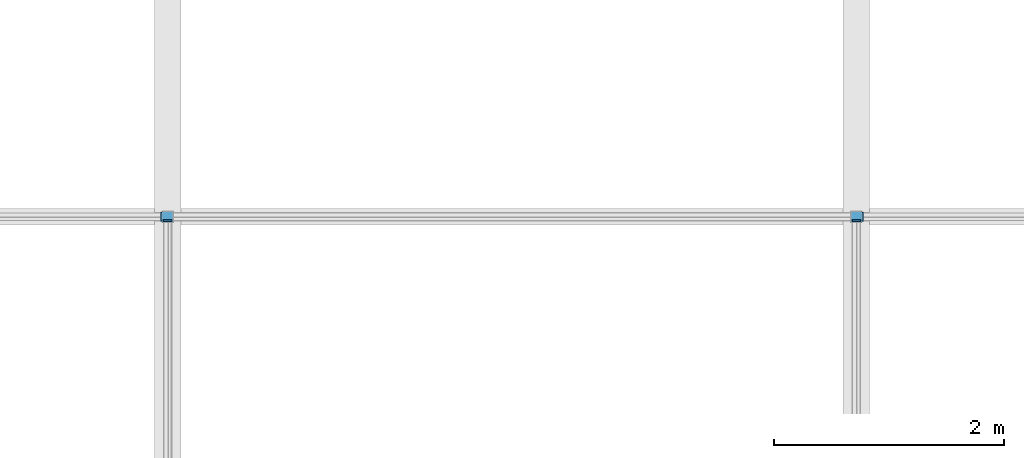
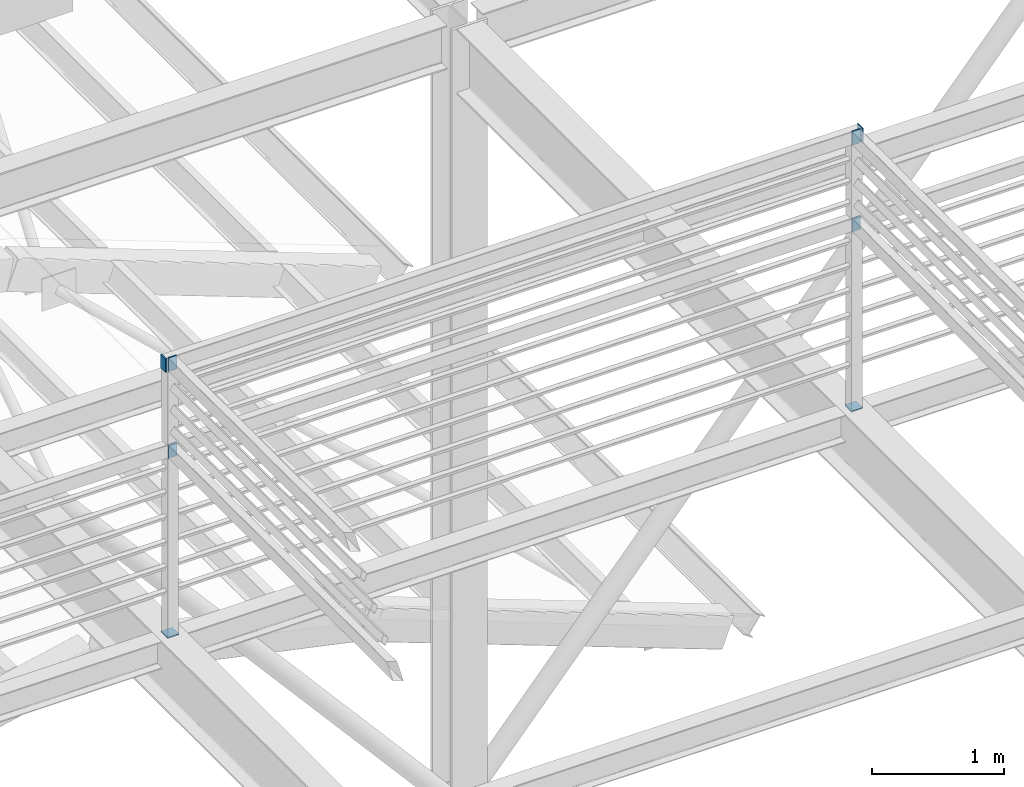
# One storey, part 47 of 57: 8 discrete accessories.
"""IFC4 building model written with IfcOpenShell, lengths in metres."""

import ifcopenshell
import ifcopenshell.guid

model = None  # the IFC model being written
_history = None  # IfcOwnerHistory: only IFC2X3 demands one
_inside = {}  # id of a spatial element -> (the spatial element, [elements in it])
_under = {}  # id of a project, library or spatial element -> (it, [spatial elements below it])
_declared = {}  # id of a project -> (the project, [libraries it declares])
_typed = {}  # id of a type object -> (the type object, [elements of that type])
_made_of = {}  # id of a material, layer set ... -> (it, [elements and type objects made of it])


def new_model(schema):
    """Start an empty IFC model of exactly this schema.

    Asked for "IFC4X3", IfcOpenShell would pick the latest addendum, in which some entities
    have other attributes; the version numbers below select the first issue.
    IFC2X3 requires an IfcOwnerHistory on every rooted entity: one is made here for all.
    """
    global model, _history
    if schema == "IFC4X3":
        model = ifcopenshell.file(schema_version=(4, 3, 0, 0))
    else:
        model = ifcopenshell.file(schema=schema)
    _inside.clear()
    _under.clear()
    _declared.clear()
    _typed.clear()
    _made_of.clear()
    _history = None
    if model.schema == "IFC2X3":
        org = make("IfcOrganization", Name="unknown")
        user = make(
            "IfcPersonAndOrganization",
            ThePerson=make("IfcPerson", FamilyName="unknown"),
            TheOrganization=org,
        )
        app = make(
            "IfcApplication",
            ApplicationDeveloper=org,
            Version="unknown",
            ApplicationFullName="unknown",
            ApplicationIdentifier="unknown",
        )
        _history = make(
            "IfcOwnerHistory",
            OwningUser=user,
            OwningApplication=app,
            ChangeAction="ADDED",
            CreationDate=0,
        )
    return model


def make(cls, **values):
    """One entity of the class cls with the attributes given. An attribute that is None is left unset."""
    return model.create_entity(
        cls, **{name: value for name, value in values.items() if value is not None}
    )


def rooted(cls, **values):
    """An entity with a GlobalId (a new one), such as an element, a storey or a relation."""
    return make(cls, GlobalId=ifcopenshell.guid.new(), OwnerHistory=_history, **values)


def si_unit(unit_type, name, prefix=None):
    """IfcSIUnit, for example si_unit("LENGTHUNIT", "METRE", prefix="MILLI")."""
    return make("IfcSIUnit", UnitType=unit_type, Prefix=prefix, Name=name)


def assignment(units):
    """IfcUnitAssignment: the units of a project."""
    return None if units is None else make("IfcUnitAssignment", Units=units)


def point(xyz):
    """IfcCartesianPoint."""
    return None if xyz is None else make("IfcCartesianPoint", Coordinates=xyz)


def direction(xyz):
    """IfcDirection."""
    return None if xyz is None else make("IfcDirection", DirectionRatios=xyz)


def frame(location, z_axis=None, x_axis=None):
    """IfcAxis2Placement3D, a coordinate frame: its origin and axes. An axis left out is left unset."""
    return make(
        "IfcAxis2Placement3D",
        Location=point(location),
        Axis=direction(z_axis),
        RefDirection=direction(x_axis),
    )


def frame_2d(location, x_axis=None):
    """IfcAxis2Placement2D, a coordinate frame in the plane: its origin and x axis."""
    return make(
        "IfcAxis2Placement2D", Location=point(location), RefDirection=direction(x_axis)
    )


def origin():
    """The frame at (0, 0, 0) with its axes left unset."""
    return frame((0.0, 0.0, 0.0))


def origin_2d():
    """The frame at (0, 0) in the plane with its x axis left unset."""
    return frame_2d((0.0, 0.0))


def place(relative_to, where):
    """IfcLocalPlacement: puts the frame where relative to a parent placement (None: the world)."""
    return make(
        "IfcLocalPlacement", PlacementRelTo=relative_to, RelativePlacement=where
    )


def context(
    kind, dimensions, precision=None, world=None, true_north=None, identifier=None
):
    """IfcGeometricRepresentationContext, for example the 3D "Model" context."""
    return make(
        "IfcGeometricRepresentationContext",
        ContextIdentifier=identifier,
        ContextType=kind,
        CoordinateSpaceDimension=dimensions,
        Precision=precision,
        WorldCoordinateSystem=world,
        TrueNorth=true_north,
    )


def subcontext(parent, identifier, kind, view, scale=None):
    """IfcGeometricRepresentationSubContext, for example "Body" below "Model"."""
    return make(
        "IfcGeometricRepresentationSubContext",
        ContextIdentifier=identifier,
        ContextType=kind,
        ParentContext=parent,
        TargetScale=scale,
        TargetView=view,
    )


def project(units=None, contexts=None):
    """IfcProject with its units and contexts."""
    return rooted(
        "IfcProject",
        Name="project",
        RepresentationContexts=contexts,
        UnitsInContext=assignment(units),
    )


def spatial(cls, under=None, at=None, **own):
    """A site, building, storey or space (cls), placed at a placement, below another one or the project."""
    s = rooted(cls, ObjectPlacement=at, **own)
    if under is not None:
        _under.setdefault(under.id(), (under, []))[1].append(s)
    return s


def profile(cls, at=None, kind="AREA", **sizes):
    """A parametric profile (cls). Its sizes go by their IFC names, for example OverallWidth=200.0."""
    return make(cls, ProfileType=kind, Position=at, **sizes)


def rectangle(**sizes):
    """IfcRectangleProfileDef."""
    return profile("IfcRectangleProfileDef", **sizes)


def extrude(swept, where, along, depth):
    """IfcExtrudedAreaSolid: the profile swept, set in the frame where, extruded along a direction by depth."""
    return make(
        "IfcExtrudedAreaSolid",
        SweptArea=swept,
        Position=where,
        ExtrudedDirection=direction(along),
        Depth=depth,
    )


def shape(context_of_items, identifier, shape_type, items):
    """IfcShapeRepresentation: the items that make up one representation, for example the "Body"."""
    return make(
        "IfcShapeRepresentation",
        ContextOfItems=context_of_items,
        RepresentationIdentifier=identifier,
        RepresentationType=shape_type,
        Items=items,
    )


def material(Name=None, Category=None):
    """IfcMaterial."""
    return make("IfcMaterial", Name=Name, Category=Category)


def material_profile(
    of_material, cross_section, Name=None, Category=None, Priority=None
):
    """IfcMaterialProfile: a cross section and its material."""
    return make(
        "IfcMaterialProfile",
        Name=Name,
        Material=of_material,
        Profile=cross_section,
        Priority=Priority,
        Category=Category,
    )


def profile_set(profiles, Name=None, composite=None):
    """IfcMaterialProfileSet."""
    return make(
        "IfcMaterialProfileSet",
        Name=Name,
        MaterialProfiles=profiles,
        CompositeProfile=composite,
    )


def made_of(thing, what):
    """Note that an element or type object is made of a material, layer set ...; save() writes the relation."""
    if what is not None:
        _made_of.setdefault(what.id(), (what, []))[1].append(thing)
    return thing


def type_object(cls, material=None, **own):
    """A type object (cls), such as IfcWallType, which elements share."""
    return made_of(rooted(cls, **own), material)


def element(
    cls,
    number,
    at=None,
    inside=None,
    cuts=None,
    type_object=None,
    material=None,
    context=None,
    identifier="Body",
    shape_type=None,
    held_by="IfcProductDefinitionShape",
    body=None,
    shapes=None,
    **own,
):
    """One element of the class cls, such as IfcWall. Its Tag is "e" and its number.

    at: its placement. inside: the storey or other place that contains it. cuts: it is an
    opening in that element (IfcRelVoidsElement). A single representation is given by context,
    identifier, shape_type and body (its items); several are given by shapes. held_by: the class
    of the entity that holds the representations. save() writes the other relations.
    """
    e = rooted(cls, Tag="e%d" % number, ObjectPlacement=at, **own)
    if body is not None:
        shapes = [shape(context, identifier, shape_type, body)]
    if shapes is not None:
        e.Representation = make(held_by, Representations=shapes)
    if inside is not None:
        _inside.setdefault(inside.id(), (inside, []))[1].append(e)
    if cuts is not None:
        rooted(
            "IfcRelVoidsElement", RelatingBuildingElement=cuts, RelatedOpeningElement=e
        )
    if type_object is not None:
        _typed.setdefault(type_object.id(), (type_object, []))[1].append(e)
    return made_of(e, material)


def aggregate(whole, parts):
    """IfcRelAggregates: a whole, such as a stair, and the parts it consists of."""
    return rooted("IfcRelAggregates", RelatingObject=whole, RelatedObjects=parts)


def save(model, path):
    """Write the relations noted so far, then the file.

    IfcRelAggregates (storeys below a building ...), IfcRelContainedInSpatialStructure (elements
    in a storey), IfcRelDefinesByType, IfcRelAssociatesMaterial and IfcRelDeclares: one each for
    every whole, place, type object, material and project.
    """
    for whole, parts in _under.values():
        aggregate(whole, parts)
    for where, things in _inside.values():
        rooted(
            "IfcRelContainedInSpatialStructure",
            RelatedElements=things,
            RelatingStructure=where,
        )
    for kind, things in _typed.values():
        rooted("IfcRelDefinesByType", RelatedObjects=things, RelatingType=kind)
    for what, things in _made_of.values():
        rooted("IfcRelAssociatesMaterial", RelatedObjects=things, RelatingMaterial=what)
    for by, libraries in _declared.values():
        rooted("IfcRelDeclares", RelatingContext=by, RelatedDefinitions=libraries)
    model.write(path)


model = new_model("IFC4")

# Units and contexts
model_context = context("Model", 3, precision=1e-05, world=origin(), true_north=direction((0.0, 1.0)))
body_context = subcontext(model_context, "Body", "Model", "MODEL_VIEW")
ifc_project = project(units=[si_unit("LENGTHUNIT", "METRE"), si_unit("AREAUNIT", "SQUARE_METRE"), si_unit("VOLUMEUNIT", "CUBIC_METRE"), si_unit("PLANEANGLEUNIT", "RADIAN"), si_unit("MASSUNIT", "GRAM", prefix="KILO")], contexts=[model_context])

# Site, building, storey
site_placement = place(None, origin())
site = spatial("IfcSite", under=ifc_project, at=site_placement, CompositionType="ELEMENT")
building_placement = place(site_placement, origin())
building = spatial("IfcBuilding", under=site, at=building_placement, Name="Saffron Lane Theatres", CompositionType="ELEMENT")
storey_placement = place(building_placement, frame((0.0, 0.0, 28.0)))
storey = spatial("IfcBuildingStorey", under=building, at=storey_placement, Name="Upper Roof", CompositionType="ELEMENT", Elevation=28.0)

# Discrete accessories
ifc_material_1 = material(Name="Steel Grade 350", Category="steel")
ifc_material_profile_1 = material_profile(ifc_material_1, rectangle(XDim=0.10009765625, YDim=0.10009765625, at=origin_2d()))
ifc_profile_set_1 = profile_set([ifc_material_profile_1], Name="Steel Grade 350")
discrete_accessory_type_1 = type_object("IfcDiscreteAccessoryType", Name="ST-STEEL END CAP 100x100x6 SHS", PredefinedType="ANCHORPLATE", material=ifc_profile_set_1)
for number, where, z_axis, x_axis, name in (
    (1, (30.0, 48.25, 8.837890625), (0.0, 0.0, 1.0), (1.0, 0.0, 0.0), "EC120"),
    (2, (36.0, 48.25, 8.837890625), (0.0, 0.0, 1.0), (1.0, 0.0, 0.0), "EC123"),
):
    element("IfcDiscreteAccessory", number, at=place(storey_placement, frame(where, z_axis=z_axis, x_axis=x_axis)), inside=storey, type_object=discrete_accessory_type_1, Name=name, PredefinedType="ANCHORPLATE", context=body_context, shape_type="SweptSolid", body=[
        extrude(rectangle(XDim=0.10009765625, YDim=0.10009765625, at=origin_2d()), origin(), (0.0, 0.0, 1.0), 0.01220703125),
    ])
ifc_material_2 = material(Name="Steel Grade 350", Category="steel")
ifc_material_profile_2 = material_profile(ifc_material_2, rectangle(XDim=0.074951171875, YDim=0.125, at=origin_2d()))
ifc_profile_set_2 = profile_set([ifc_material_profile_2], Name="Steel Grade 350")
discrete_accessory_type_2 = type_object("IfcDiscreteAccessoryType", Name="ST-STEEL END CAP 125x75x5 RHS", PredefinedType="ANCHORPLATE", material=ifc_profile_set_2)
for number, where, z_axis, x_axis, name in (
    (3, (30.0, 48.21240234375, 10.5625), (0.0, 1.0, 0.0), (-1.0, 0.0, 0.0), "EC136"),
    (4, (36.0, 48.21240234375, 10.5625), (0.0, 1.0, 0.0), (-1.0, 0.0, 0.0), "EC138"),
):
    element("IfcDiscreteAccessory", number, at=place(storey_placement, frame(where, z_axis=z_axis, x_axis=x_axis)), inside=storey, type_object=discrete_accessory_type_2, Name=name, PredefinedType="ANCHORPLATE", context=body_context, shape_type="SweptSolid", body=[
        extrude(rectangle(XDim=0.074951171875, YDim=0.125, at=origin_2d()), origin(), (0.0, 0.0, 1.0), 0.01220703125),
    ])
for number, where, z_axis, x_axis, name in (
    (5, (29.93798828125, 48.25, 11.367431640625), (1.0, 0.0, 0.0), (0.0, 1.0, 0.0), "EC145"),
    (6, (36.050048828125, 48.25, 11.367431640625), (1.0, 0.0, 0.0), (0.0, 1.0, 0.0), "EC146"),
):
    element("IfcDiscreteAccessory", number, at=place(storey_placement, frame(where, z_axis=z_axis, x_axis=x_axis)), inside=storey, type_object=discrete_accessory_type_2, Name=name, PredefinedType="ANCHORPLATE", context=body_context, shape_type="SweptSolid", body=[
        extrude(rectangle(XDim=0.074951171875, YDim=0.125, at=origin_2d()), origin(), (0.0, 0.0, 1.0), 0.011962890625),
    ])
for number, where, z_axis, x_axis, name in (
    (7, (30.0, 48.21240234375, 11.367431640625), (0.0, 1.0, 0.0), (-1.0, 0.0, 0.0), "EC148"),
    (8, (36.0, 48.21240234375, 11.367431640625), (0.0, 1.0, 0.0), (-1.0, 0.0, 0.0), "EC150"),
):
    element("IfcDiscreteAccessory", number, at=place(storey_placement, frame(where, z_axis=z_axis, x_axis=x_axis)), inside=storey, type_object=discrete_accessory_type_2, Name=name, PredefinedType="ANCHORPLATE", context=body_context, shape_type="SweptSolid", body=[
        extrude(rectangle(XDim=0.074951171875, YDim=0.125, at=origin_2d()), origin(), (0.0, 0.0, 1.0), 0.01220703125),
    ])

save(model, "model.ifc")
